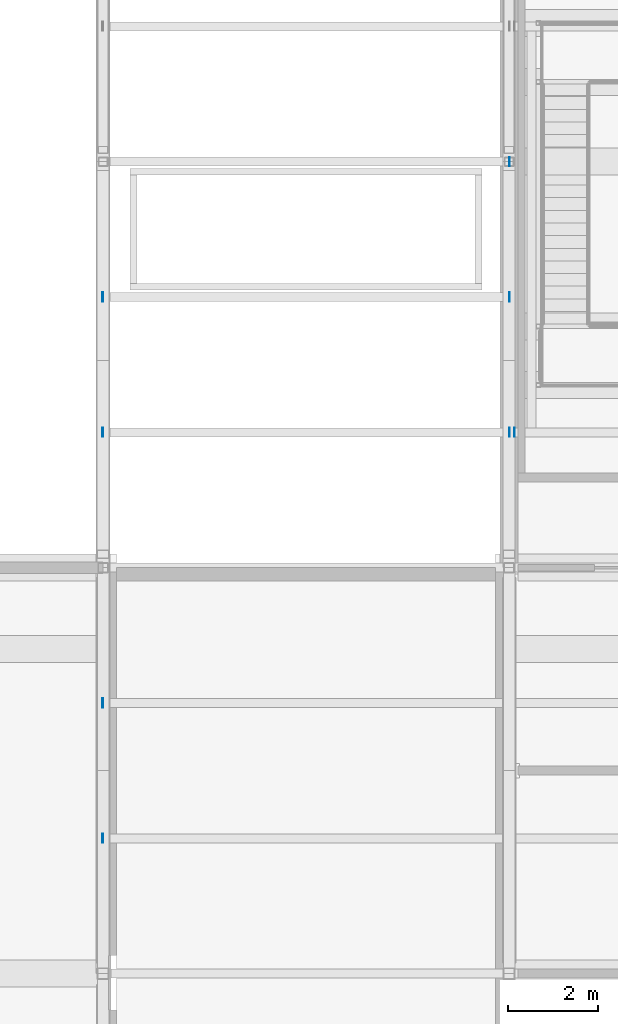
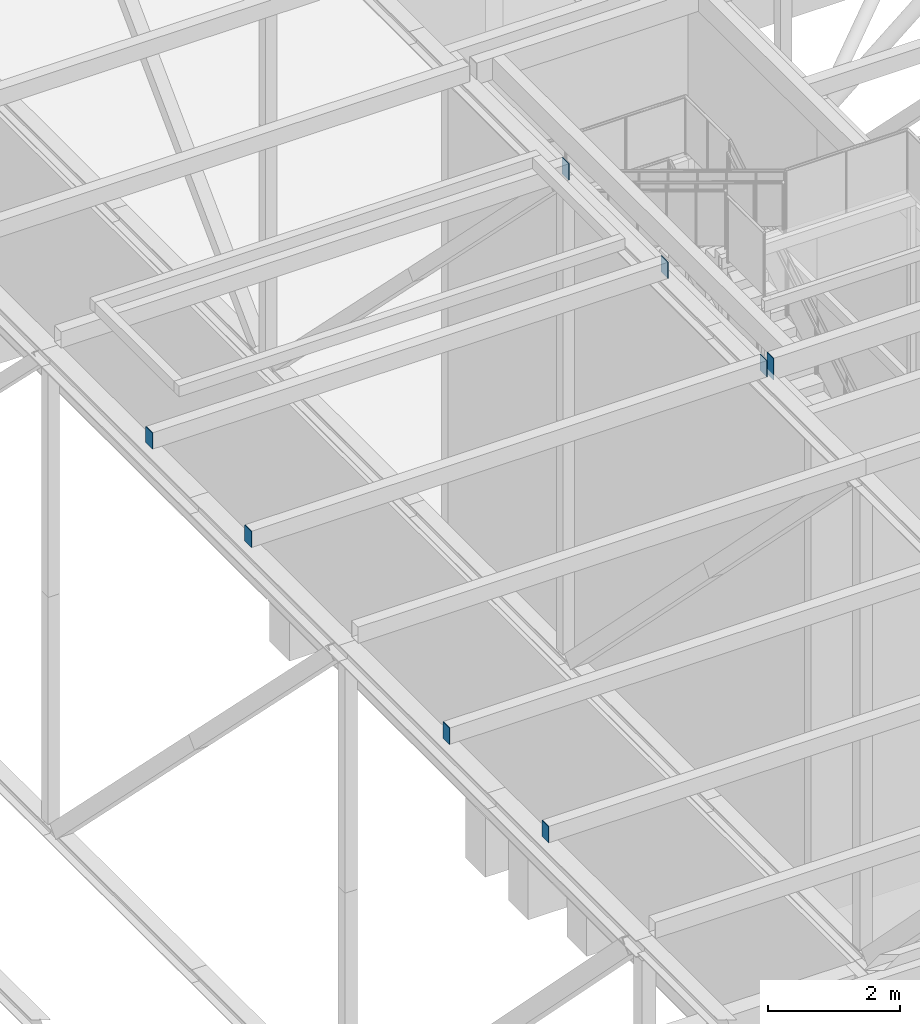
# One storey, part 215 of 646: 8 discrete accessories.
"""IFC4 building model written with IfcOpenShell, lengths in metres."""

from ifc_helpers import new_model, si_unit, direction, frame, origin, origin_2d, place, context, subcontext, project, spatial, rectangle, extrude, material, layer, layer_set, type_object, element, save


model = new_model("IFC4")

# Units and contexts
model_context = context("Model", 3, precision=1e-05, world=origin(), true_north=direction((0.0, 1.0)))
body_context = subcontext(model_context, "Body", "Model", "MODEL_VIEW")
ifc_project = project(units=[si_unit("LENGTHUNIT", "METRE"), si_unit("AREAUNIT", "SQUARE_METRE"), si_unit("VOLUMEUNIT", "CUBIC_METRE"), si_unit("PLANEANGLEUNIT", "RADIAN"), si_unit("MASSUNIT", "GRAM", prefix="KILO")], contexts=[model_context])

# Site, building, storey
site_placement = place(None, origin())
site = spatial("IfcSite", under=ifc_project, at=site_placement, CompositionType="ELEMENT")
building_placement = place(site_placement, origin())
building = spatial("IfcBuilding", under=site, at=building_placement, Name="Silverbay Arena", CompositionType="ELEMENT")
storey_placement = place(building_placement, frame((0.0, 0.0, 33.5)))
storey = spatial("IfcBuildingStorey", under=building, at=storey_placement, Name="L05", CompositionType="ELEMENT", Elevation=33.5)

# Discrete accessories
ifc_material = material(Name="Steel S355", Category="steel")
ifc_layer = layer(ifc_material, 0.011962890625)
ifc_layer_set = layer_set([ifc_layer], Name="Steel S355")
discrete_accessory_type = type_object("IfcDiscreteAccessoryType", Name="Purlin end plate 12", PredefinedType="USERDEFINED", material=ifc_layer_set)
for number, where, z_axis, x_axis, name in (
    (1, (180.0, 57.0, 13.14990234375), (-1.0, 0.0, 0.0), (0.0, -1.0, 0.0), "Purlin end plate"),
    (2, (180.0, 60.0, 13.14990234375), (-1.0, 0.0, 0.0), (0.0, -1.0, 0.0), "Purlin end plate"),
    (3, (189.0, 66.0, 13.14990234375), (1.0, 0.0, 0.0), (0.0, 1.0, 0.0), "Purlin end plate"),
    (4, (180.0, 66.0, 13.14990234375), (-1.0, 0.0, 0.0), (0.0, -1.0, 0.0), "Purlin end plate"),
    (5, (189.0, 69.0, 13.14990234375), (1.0, 0.0, 0.0), (0.0, 1.0, 0.0), "Purlin end plate"),
    (6, (180.0, 69.0, 13.14990234375), (-1.0, 0.0, 0.0), (0.0, -1.0, 0.0), "Purlin end plate"),
    (7, (189.0, 72.0, 13.14990234375), (1.0, 0.0, 0.0), (0.0, 1.0, 0.0), "Purlin end plate"),
):
    element("IfcDiscreteAccessory", number, at=place(storey_placement, frame(where, z_axis=z_axis, x_axis=x_axis)), inside=storey, type_object=discrete_accessory_type, Name=name, ObjectType="END PLATE", PredefinedType="USERDEFINED", context=body_context, shape_type="SweptSolid", body=[
        extrude(rectangle(XDim=0.199951171875, YDim=0.300048828125, at=origin_2d()), origin(), (0.0, 0.0, 1.0), 0.011962890625),
    ])
discrete_accessory_placement = place(storey_placement, frame((189.12939453125, 66.0, 13.10009765625), z_axis=(-1.0, 0.0, 0.0), x_axis=(0.0, -1.0, 0.0)))
element("IfcDiscreteAccessory", 8, at=discrete_accessory_placement, inside=storey, type_object=discrete_accessory_type, Name="Purlin end plate", ObjectType="END PLATE", PredefinedType="USERDEFINED", context=body_context, shape_type="SweptSolid", body=[
    extrude(rectangle(XDim=0.199951171875, YDim=0.39990234375, at=origin_2d()), origin(), (0.0, 0.0, 1.0), 0.011962890625),
])

save(model, "model.ifc")
